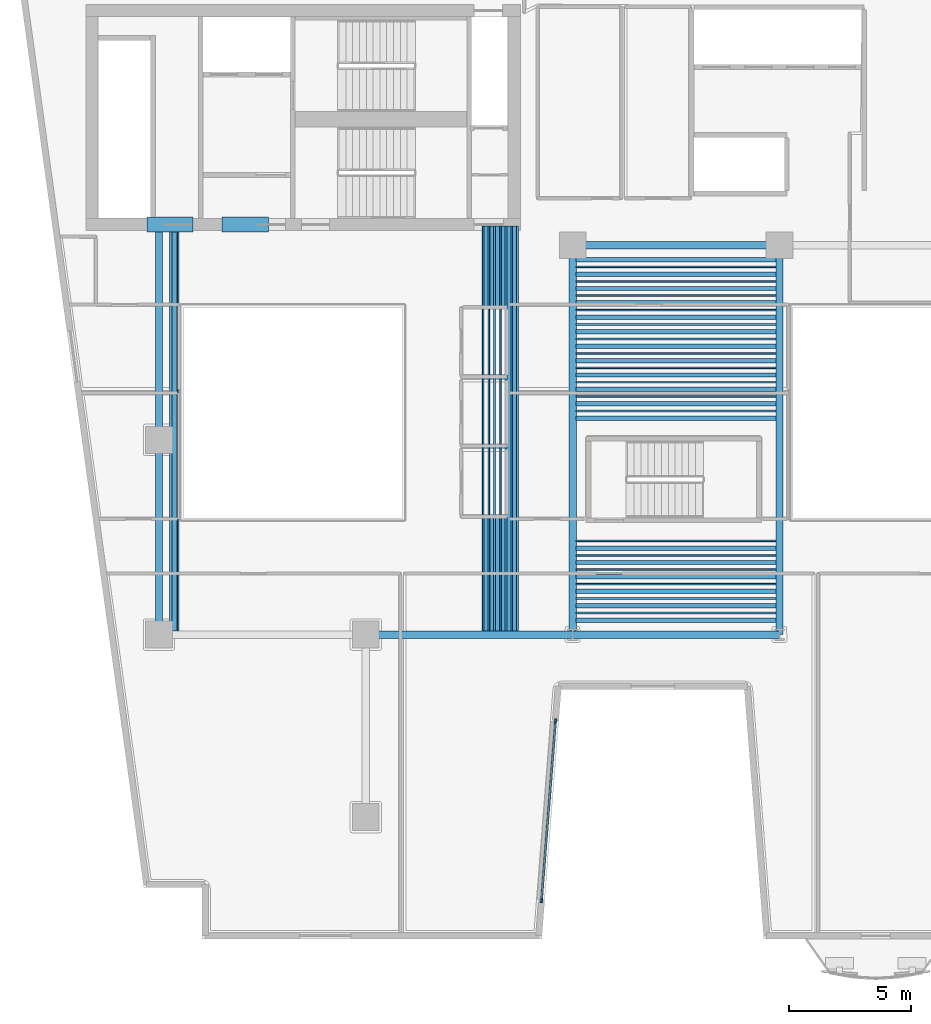
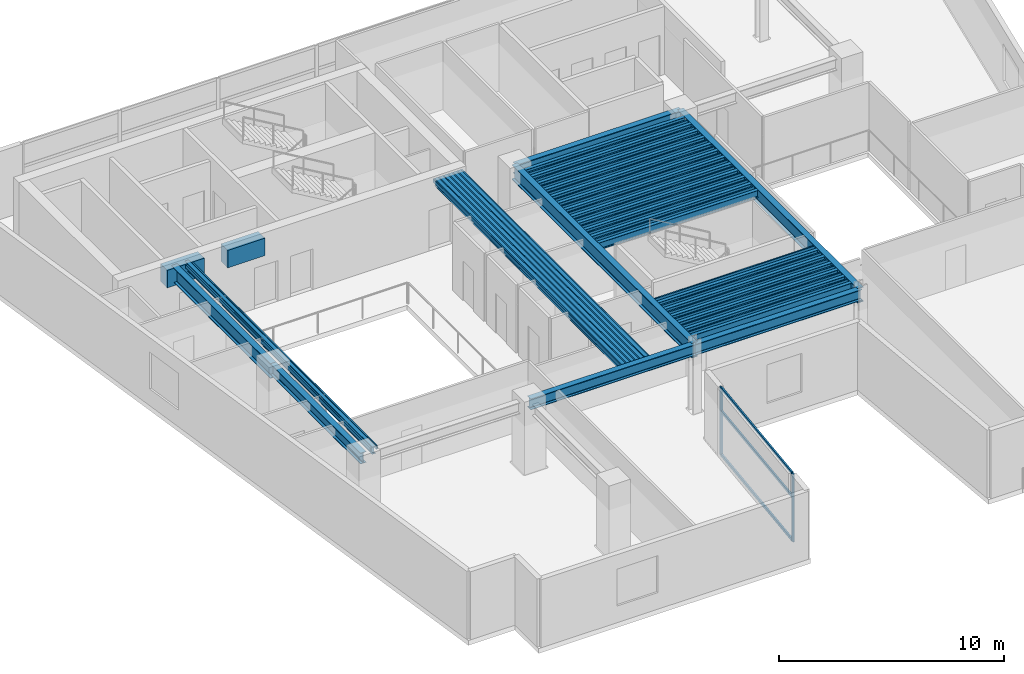
# One storey, part 2 of 13: 60 beams, 5 members, 1 element without a shape of its own.
"""IFC4 building model written with IfcOpenShell, lengths in metres."""

from ifc_helpers import new_model, si_unit, direction, frame, origin, origin_2d, place, context, subcontext, project, spatial, rectangle, hollow_rectangle, i_section, extrude, material, layer, layer_set, material_profile, profile_set, type_object, element, aggregate, save


model = new_model("IFC4")

# Units and contexts
model_context = context("Model", 3, precision=1e-05, world=origin(), true_north=direction((0.0, 1.0)))
body_context = subcontext(model_context, "Body", "Model", "MODEL_VIEW")
ifc_project = project(units=[si_unit("LENGTHUNIT", "METRE"), si_unit("AREAUNIT", "SQUARE_METRE"), si_unit("VOLUMEUNIT", "CUBIC_METRE"), si_unit("PLANEANGLEUNIT", "RADIAN"), si_unit("MASSUNIT", "GRAM", prefix="KILO")], contexts=[model_context])

# Site, building, storey
site_placement = place(None, origin())
site = spatial("IfcSite", under=ifc_project, at=site_placement, CompositionType="ELEMENT")
building_placement = place(site_placement, origin())
building = spatial("IfcBuilding", under=site, at=building_placement, Name="Caeloran Harvest Quay", CompositionType="ELEMENT")
storey_placement = place(building_placement, frame((0.0, 0.0, 139.050048828125)))
storey = spatial("IfcBuildingStorey", under=building, at=storey_placement, Name="L32", CompositionType="ELEMENT", Elevation=139.050048828125)

# Beams
ifc_material_1 = material(Name="Concrete C60/75", Category="concrete")
ifc_material_profile_1 = material_profile(ifc_material_1, rectangle(XDim=0.60009765625, YDim=0.949951171875, at=origin_2d()), Name="RC 600x950")
ifc_profile_set_1 = profile_set([ifc_material_profile_1], Name="Concrete C60/75")
beam_type_1 = type_object("IfcBeamType", Name="BM-CB-2-RC_600x950", PredefinedType="LINTEL", material=ifc_profile_set_1)
for number, where, z_axis, x_axis, name in (
    (1, (8.0, 31.85009765625, 3.21484375), (1.0, 0.0, 0.0), (0.0, 1.0, 0.0), "L32 Core Coupling Beam 1"),
    (2, (11.10009765625, 31.85009765625, 3.21484375), (1.0, 0.0, 0.0), (0.0, 1.0, 0.0), "L32 Core Coupling Beam 2"),
):
    element("IfcBeam", number, at=place(storey_placement, frame(where, z_axis=z_axis, x_axis=x_axis)), inside=storey, type_object=beam_type_1, Name=name, PredefinedType="LINTEL", context=body_context, shape_type="SweptSolid", body=[
        extrude(rectangle(XDim=0.60009765625, YDim=0.949951171875, at=origin_2d()), origin(), (0.0, 0.0, 1.0), 1.89990234375),
    ])
ifc_material_2 = material(Name="Steel S355J2", Category="steel")
ifc_material_profile_2 = material_profile(ifc_material_2, i_section(OverallWidth=0.300048828125, OverallDepth=0.800048828125, WebThickness=0.017578125, FlangeThickness=0.032958984375, FilletRadius=0.030029296875, at=origin_2d()), Name="HE 800 B")
ifc_profile_set_2 = profile_set([ifc_material_profile_2], Name="Steel S355J2")
beam_type_2 = type_object("IfcBeamType", Name="BM-PG-1-HE_800_B", PredefinedType="BEAM", material=ifc_profile_set_2)
beam_1_placement = place(storey_placement, frame((8.5, 23.0, 3.2900390625), z_axis=(0.0, 1.0, 0.0), x_axis=(-1.0, 0.0, 0.0)))
element("IfcBeam", 3, at=beam_1_placement, inside=storey, type_object=beam_type_2, Name="L32 Core South Tie Girder X=8.5", PredefinedType="BEAM", context=body_context, shape_type="SweptSolid", body=[
    extrude(i_section(OverallWidth=0.300048828125, OverallDepth=0.800048828125, WebThickness=0.017578125, FlangeThickness=0.032958984375, FilletRadius=0.030029296875, at=origin_2d()), origin(), (0.0, 0.0, 1.0), 8.800048828125),
])
for number, where, z_axis, x_axis, name in (
    (4, (25.5, 15.0, 3.2900390625), (0.0, 1.0, 0.0), (-1.0, 0.0, 0.0), "L32 Primary North-South Girder X=25.5"),
    (5, (34.0, 15.0, 3.2900390625), (0.0, 1.0, 0.0), (-1.0, 0.0, 0.0), "L32 Primary North-South Girder X=34.0"),
):
    element("IfcBeam", number, at=place(storey_placement, frame(where, z_axis=z_axis, x_axis=x_axis)), inside=storey, type_object=beam_type_2, Name=name, PredefinedType="BEAM", context=body_context, shape_type="SweptSolid", body=[
        extrude(i_section(OverallWidth=0.300048828125, OverallDepth=0.800048828125, WebThickness=0.017578125, FlangeThickness=0.032958984375, FilletRadius=0.030029296875, at=origin_2d()), origin(), (0.0, 0.0, 1.0), 16.0),
    ])
ifc_material_profile_3 = material_profile(ifc_material_2, i_section(OverallWidth=0.300048828125, OverallDepth=0.60009765625, WebThickness=0.015380859375, FlangeThickness=0.030029296875, FilletRadius=0.027099609375, at=origin_2d()), Name="HE 600 B")
ifc_profile_set_3 = profile_set([ifc_material_profile_3], Name="Steel S355J2")
beam_type_3 = type_object("IfcBeamType", Name="BM-PG-3-HE_600_B", PredefinedType="BEAM", material=ifc_profile_set_3)
for number, where, z_axis, x_axis, name in (
    (6, (17.0, 15.0, 3.389892578125), (1.0, 0.0, 0.0), (0.0, 1.0, 0.0), "L32 Primary East-West Girder Y=15.0"),
    (7, (25.5, 15.0, 3.389892578125), (1.0, 0.0, 0.0), (0.0, 1.0, 0.0), "L32 Primary East-West Girder Y=15.0"),
    (8, (25.5, 31.0, 3.389892578125), (1.0, 0.0, 0.0), (0.0, 1.0, 0.0), "L32 Primary East-West Girder Y=31.0"),
):
    element("IfcBeam", number, at=place(storey_placement, frame(where, z_axis=z_axis, x_axis=x_axis)), inside=storey, type_object=beam_type_3, Name=name, PredefinedType="BEAM", context=body_context, shape_type="SweptSolid", body=[
        extrude(i_section(OverallWidth=0.300048828125, OverallDepth=0.60009765625, WebThickness=0.015380859375, FlangeThickness=0.030029296875, FilletRadius=0.027099609375, at=origin_2d()), origin(), (0.0, 0.0, 1.0), 8.5),
    ])
beam_2_placement = place(storey_placement, frame((8.5, 15.0, 3.389892578125), z_axis=(0.0, 1.0, 0.0), x_axis=(-1.0, 0.0, 0.0)))
element("IfcBeam", 9, at=beam_2_placement, inside=storey, type_object=beam_type_3, Name="L32 Primary North-South Girder X=8.5", PredefinedType="BEAM", context=body_context, shape_type="SweptSolid", body=[
    extrude(i_section(OverallWidth=0.300048828125, OverallDepth=0.60009765625, WebThickness=0.015380859375, FlangeThickness=0.030029296875, FilletRadius=0.027099609375, at=origin_2d()), origin(), (0.0, 0.0, 1.0), 8.0),
])
ifc_material_profile_4 = material_profile(ifc_material_2, i_section(OverallWidth=0.179931640625, OverallDepth=0.39990234375, WebThickness=0.008544921875, FlangeThickness=0.013427734375, FilletRadius=0.02099609375, at=origin_2d()), Name="IPE 400")
ifc_profile_set_4 = profile_set([ifc_material_profile_4], Name="Steel S355J2")
beam_type_4 = type_object("IfcBeamType", Name="BM-SB-4-IPE_400", PredefinedType="JOIST", material=ifc_profile_set_4)
for number, where, z_axis, x_axis, name in (
    (10, (9.129638671875, 15.14501953125, 3.489990234375), (0.0, 1.0, 0.0), (-1.0, 0.0, 0.0), "L32 Secondary Composite Joist"),
    (11, (21.93896484375, 15.14501953125, 3.489990234375), (0.0, 1.0, 0.0), (-1.0, 0.0, 0.0), "L32 Secondary Composite Joist"),
    (12, (22.174072265625, 15.14501953125, 3.489990234375), (0.0, 1.0, 0.0), (-1.0, 0.0, 0.0), "L32 Secondary Composite Joist"),
    (13, (22.4091796875, 15.14501953125, 3.489990234375), (0.0, 1.0, 0.0), (-1.0, 0.0, 0.0), "L32 Secondary Composite Joist"),
    (14, (22.644287109375, 15.14501953125, 3.489990234375), (0.0, 1.0, 0.0), (-1.0, 0.0, 0.0), "L32 Secondary Composite Joist"),
    (15, (22.879638671875, 15.14501953125, 3.489990234375), (0.0, 1.0, 0.0), (-1.0, 0.0, 0.0), "L32 Secondary Composite Joist"),
    (16, (23.11474609375, 15.14501953125, 3.489990234375), (0.0, 1.0, 0.0), (-1.0, 0.0, 0.0), "L32 Secondary Composite Joist"),
):
    element("IfcBeam", number, at=place(storey_placement, frame(where, z_axis=z_axis, x_axis=x_axis)), inside=storey, type_object=beam_type_4, Name=name, PredefinedType="JOIST", context=body_context, shape_type="SweptSolid", body=[
        extrude(i_section(OverallWidth=0.179931640625, OverallDepth=0.39990234375, WebThickness=0.008544921875, FlangeThickness=0.013427734375, FilletRadius=0.02099609375, at=origin_2d()), origin(), (0.0, 0.0, 1.0), 16.655029296875),
    ])
for number, where, z_axis, x_axis, name in (
    (17, (25.64501953125, 15.592529296875, 3.489990234375), (1.0, 0.0, 0.0), (0.0, 1.0, 0.0), "L32 Secondary East-West Composite Joist"),
    (18, (25.64501953125, 16.185302734375, 3.489990234375), (1.0, 0.0, 0.0), (0.0, 1.0, 0.0), "L32 Secondary East-West Composite Joist"),
    (19, (25.64501953125, 16.77783203125, 3.489990234375), (1.0, 0.0, 0.0), (0.0, 1.0, 0.0), "L32 Secondary East-West Composite Joist"),
    (20, (25.64501953125, 17.370361328125, 3.489990234375), (1.0, 0.0, 0.0), (0.0, 1.0, 0.0), "L32 Secondary East-West Composite Joist"),
    (21, (25.64501953125, 17.962890625, 3.489990234375), (1.0, 0.0, 0.0), (0.0, 1.0, 0.0), "L32 Secondary East-West Composite Joist"),
    (22, (25.64501953125, 18.5556640625, 3.489990234375), (1.0, 0.0, 0.0), (0.0, 1.0, 0.0), "L32 Secondary East-West Composite Joist"),
    (23, (25.64501953125, 23.888916015625, 3.489990234375), (1.0, 0.0, 0.0), (0.0, 1.0, 0.0), "L32 Secondary East-West Composite Joist"),
    (24, (25.64501953125, 24.4814453125, 3.489990234375), (1.0, 0.0, 0.0), (0.0, 1.0, 0.0), "L32 Secondary East-West Composite Joist"),
    (25, (25.64501953125, 25.07421875, 3.489990234375), (1.0, 0.0, 0.0), (0.0, 1.0, 0.0), "L32 Secondary East-West Composite Joist"),
    (26, (25.64501953125, 25.666748046875, 3.489990234375), (1.0, 0.0, 0.0), (0.0, 1.0, 0.0), "L32 Secondary East-West Composite Joist"),
    (27, (25.64501953125, 26.25927734375, 3.489990234375), (1.0, 0.0, 0.0), (0.0, 1.0, 0.0), "L32 Secondary East-West Composite Joist"),
    (28, (25.64501953125, 26.851806640625, 3.489990234375), (1.0, 0.0, 0.0), (0.0, 1.0, 0.0), "L32 Secondary East-West Composite Joist"),
    (29, (25.64501953125, 27.4443359375, 3.489990234375), (1.0, 0.0, 0.0), (0.0, 1.0, 0.0), "L32 Secondary East-West Composite Joist"),
    (30, (25.64501953125, 28.037109375, 3.489990234375), (1.0, 0.0, 0.0), (0.0, 1.0, 0.0), "L32 Secondary East-West Composite Joist"),
    (31, (25.64501953125, 28.629638671875, 3.489990234375), (1.0, 0.0, 0.0), (0.0, 1.0, 0.0), "L32 Secondary East-West Composite Joist"),
    (32, (25.64501953125, 29.22216796875, 3.489990234375), (1.0, 0.0, 0.0), (0.0, 1.0, 0.0), "L32 Secondary East-West Composite Joist"),
    (33, (25.64501953125, 29.814697265625, 3.489990234375), (1.0, 0.0, 0.0), (0.0, 1.0, 0.0), "L32 Secondary East-West Composite Joist"),
    (34, (25.64501953125, 30.407470703125, 3.489990234375), (1.0, 0.0, 0.0), (0.0, 1.0, 0.0), "L32 Secondary East-West Composite Joist"),
):
    element("IfcBeam", number, at=place(storey_placement, frame(where, z_axis=z_axis, x_axis=x_axis)), inside=storey, type_object=beam_type_4, Name=name, PredefinedType="JOIST", context=body_context, shape_type="SweptSolid", body=[
        extrude(i_section(OverallWidth=0.179931640625, OverallDepth=0.39990234375, WebThickness=0.008544921875, FlangeThickness=0.013427734375, FilletRadius=0.02099609375, at=origin_2d()), origin(), (0.0, 0.0, 1.0), 8.2099609375),
    ])
ifc_material_profile_5 = material_profile(ifc_material_2, hollow_rectangle(XDim=0.080078125, YDim=0.199951171875, WallThickness=0.006103515625, InnerFilletRadius=0.006103515625, OuterFilletRadius=0.009033203125, at=origin_2d()), Name="RHS 200x80x6")
ifc_profile_set_5 = profile_set([ifc_material_profile_5], Name="Steel S355J2")
beam_type_5 = type_object("IfcBeamType", Name="BM-SB-7-RHS_200x80x6", PredefinedType="JOIST", material=ifc_profile_set_5)
for number, where, z_axis, x_axis, name in (
    (35, (8.97216796875, 15.14501953125, 3.58984375), (0.0, 1.0, 0.0), (-1.0, 0.0, 0.0), "L32 Secondary Composite Joist"),
    (36, (9.287109375, 15.14501953125, 3.58984375), (0.0, 1.0, 0.0), (-1.0, 0.0, 0.0), "L32 Secondary Composite Joist"),
    (37, (21.8212890625, 15.14501953125, 3.58984375), (0.0, 1.0, 0.0), (-1.0, 0.0, 0.0), "L32 Secondary Composite Joist"),
    (38, (22.056396484375, 15.14501953125, 3.58984375), (0.0, 1.0, 0.0), (-1.0, 0.0, 0.0), "L32 Secondary Composite Joist"),
    (39, (22.291748046875, 15.14501953125, 3.58984375), (0.0, 1.0, 0.0), (-1.0, 0.0, 0.0), "L32 Secondary Composite Joist"),
    (40, (22.52685546875, 15.14501953125, 3.58984375), (0.0, 1.0, 0.0), (-1.0, 0.0, 0.0), "L32 Secondary Composite Joist"),
    (41, (22.761962890625, 15.14501953125, 3.58984375), (0.0, 1.0, 0.0), (-1.0, 0.0, 0.0), "L32 Secondary Composite Joist"),
    (42, (22.997314453125, 15.14501953125, 3.58984375), (0.0, 1.0, 0.0), (-1.0, 0.0, 0.0), "L32 Secondary Composite Joist"),
    (43, (23.232421875, 15.14501953125, 3.58984375), (0.0, 1.0, 0.0), (-1.0, 0.0, 0.0), "L32 Secondary Composite Joist"),
):
    element("IfcBeam", number, at=place(storey_placement, frame(where, z_axis=z_axis, x_axis=x_axis)), inside=storey, type_object=beam_type_5, Name=name, PredefinedType="JOIST", context=body_context, shape_type="SweptSolid", body=[
        extrude(hollow_rectangle(XDim=0.080078125, YDim=0.199951171875, WallThickness=0.006103515625, InnerFilletRadius=0.006103515625, OuterFilletRadius=0.009033203125, at=origin_2d()), origin(), (0.0, 0.0, 1.0), 16.655029296875),
    ])
for number, where, z_axis, x_axis, name in (
    (44, (25.64501953125, 15.888916015625, 3.58984375), (1.0, 0.0, 0.0), (0.0, 1.0, 0.0), "L32 Secondary East-West Composite Joist"),
    (45, (25.64501953125, 16.4814453125, 3.58984375), (1.0, 0.0, 0.0), (0.0, 1.0, 0.0), "L32 Secondary East-West Composite Joist"),
    (46, (25.64501953125, 17.07421875, 3.58984375), (1.0, 0.0, 0.0), (0.0, 1.0, 0.0), "L32 Secondary East-West Composite Joist"),
    (47, (25.64501953125, 17.666748046875, 3.58984375), (1.0, 0.0, 0.0), (0.0, 1.0, 0.0), "L32 Secondary East-West Composite Joist"),
    (48, (25.64501953125, 18.25927734375, 3.58984375), (1.0, 0.0, 0.0), (0.0, 1.0, 0.0), "L32 Secondary East-West Composite Joist"),
    (49, (25.64501953125, 18.851806640625, 3.58984375), (1.0, 0.0, 0.0), (0.0, 1.0, 0.0), "L32 Secondary East-West Composite Joist"),
    (50, (25.64501953125, 24.185302734375, 3.58984375), (1.0, 0.0, 0.0), (0.0, 1.0, 0.0), "L32 Secondary East-West Composite Joist"),
    (51, (25.64501953125, 24.77783203125, 3.58984375), (1.0, 0.0, 0.0), (0.0, 1.0, 0.0), "L32 Secondary East-West Composite Joist"),
    (52, (25.64501953125, 25.370361328125, 3.58984375), (1.0, 0.0, 0.0), (0.0, 1.0, 0.0), "L32 Secondary East-West Composite Joist"),
    (53, (25.64501953125, 25.962890625, 3.58984375), (1.0, 0.0, 0.0), (0.0, 1.0, 0.0), "L32 Secondary East-West Composite Joist"),
    (54, (25.64501953125, 26.5556640625, 3.58984375), (1.0, 0.0, 0.0), (0.0, 1.0, 0.0), "L32 Secondary East-West Composite Joist"),
    (55, (25.64501953125, 27.148193359375, 3.58984375), (1.0, 0.0, 0.0), (0.0, 1.0, 0.0), "L32 Secondary East-West Composite Joist"),
    (56, (25.64501953125, 27.74072265625, 3.58984375), (1.0, 0.0, 0.0), (0.0, 1.0, 0.0), "L32 Secondary East-West Composite Joist"),
    (57, (25.64501953125, 28.333251953125, 3.58984375), (1.0, 0.0, 0.0), (0.0, 1.0, 0.0), "L32 Secondary East-West Composite Joist"),
    (58, (25.64501953125, 28.92578125, 3.58984375), (1.0, 0.0, 0.0), (0.0, 1.0, 0.0), "L32 Secondary East-West Composite Joist"),
    (59, (25.64501953125, 29.5185546875, 3.58984375), (1.0, 0.0, 0.0), (0.0, 1.0, 0.0), "L32 Secondary East-West Composite Joist"),
    (60, (25.64501953125, 30.111083984375, 3.58984375), (1.0, 0.0, 0.0), (0.0, 1.0, 0.0), "L32 Secondary East-West Composite Joist"),
):
    element("IfcBeam", number, at=place(storey_placement, frame(where, z_axis=z_axis, x_axis=x_axis)), inside=storey, type_object=beam_type_5, Name=name, PredefinedType="JOIST", context=body_context, shape_type="SweptSolid", body=[
        extrude(hollow_rectangle(XDim=0.080078125, YDim=0.199951171875, WallThickness=0.006103515625, InnerFilletRadius=0.006103515625, OuterFilletRadius=0.009033203125, at=origin_2d()), origin(), (0.0, 0.0, 1.0), 8.2099609375),
    ])

# Curtain wall, members
ifc_material_3 = material(Name="Aluminium 6063-T6 and Low-E Glazing", Category="aluminium")
ifc_layer = layer(ifc_material_3, 0.18994140625, Name="Aluminium 6063-T6 and Low-E Glazing")
ifc_layer_set = layer_set([ifc_layer], Name="Aluminium 6063-T6 and Low-E Glazing")
curtain_wall_type = type_object("IfcCurtainWallType", Name="CW-SYS-CW-3", PredefinedType="USERDEFINED", material=ifc_layer_set)
curtain_wall_placement = place(storey_placement, origin())
curtain_wall = element("IfcCurtainWall", 61, at=curtain_wall_placement, inside=storey, type_object=curtain_wall_type, Name="L32 Unitised Curtain Wall CW-3 Run 15", ObjectType="CURTAIN_WALL", PredefinedType="USERDEFINED")
ifc_material_4 = material(Name="Aluminium 6063-T6", Category="aluminium")
ifc_material_profile_6 = material_profile(ifc_material_4, rectangle(XDim=0.080078125, YDim=0.179931640625, at=origin_2d()), Name="CW-MULLION-180")
ifc_profile_set_6 = profile_set([ifc_material_profile_6], Name="Aluminium 6063-T6")
member_type_1 = type_object("IfcMemberType", Name="CW-MULLION-180", PredefinedType="MULLION", material=ifc_profile_set_6)
member_1_placement = place(storey_placement, frame((24.7978515625, 11.4443359375, 0.0), z_axis=(0.0, 0.0, 1.0), x_axis=(0.996967280277, -0.077821861046, 0.0)))
member_1 = element("IfcMember", 62, at=member_1_placement, type_object=member_type_1, Name="CW-3 mullion 1", PredefinedType="MULLION", context=body_context, shape_type="SweptSolid", body=[
    extrude(rectangle(XDim=0.080078125, YDim=0.179931640625, at=origin_2d()), origin(), (0.0, 0.0, 1.0), 3.68994140625),
])
member_2_placement = place(storey_placement, frame((24.221923828125, 4.065673828125, 0.0), z_axis=(0.0, 0.0, 1.0), x_axis=(0.996967280277, -0.077821861046, 0.0)))
member_2 = element("IfcMember", 63, at=member_2_placement, type_object=member_type_1, Name="CW-3 mullion 2", PredefinedType="MULLION", context=body_context, shape_type="SweptSolid", body=[
    extrude(rectangle(XDim=0.080078125, YDim=0.179931640625, at=origin_2d()), origin(), (0.0, 0.0, 1.0), 3.68994140625),
])
ifc_material_profile_7 = material_profile(ifc_material_4, rectangle(XDim=0.080078125, YDim=0.14990234375, at=origin_2d()), Name="CW-TRANSOM-150")
ifc_profile_set_7 = profile_set([ifc_material_profile_7], Name="Aluminium 6063-T6")
member_type_2 = type_object("IfcMemberType", Name="CW-TRANSOM-150", PredefinedType="USERDEFINED", material=ifc_profile_set_7)
member_3_placement = place(storey_placement, frame((24.794677734375, 11.404541015625, 0.0400390625), z_axis=(-0.077831218093, -0.996966549835, 0.0), x_axis=(0.996966549835, -0.077831218093, 0.0)))
member_3 = element("IfcMember", 64, at=member_3_placement, type_object=member_type_2, Name="CW-3 transom 1.1", ObjectType="TRANSOM", PredefinedType="USERDEFINED", context=body_context, shape_type="SweptSolid", body=[
    extrude(rectangle(XDim=0.080078125, YDim=0.14990234375, at=origin_2d()), origin(), (0.0, 0.0, 1.0), 7.3212890625),
])
member_4_placement = place(storey_placement, frame((24.794677734375, 11.404541015625, 2.39990234375), z_axis=(-0.077831218093, -0.996966549835, 0.0), x_axis=(0.996966549835, -0.077831218093, 0.0)))
member_4 = element("IfcMember", 65, at=member_4_placement, type_object=member_type_2, Name="CW-3 transom 1.2", ObjectType="TRANSOM", PredefinedType="USERDEFINED", context=body_context, shape_type="SweptSolid", body=[
    extrude(rectangle(XDim=0.080078125, YDim=0.14990234375, at=origin_2d()), origin(), (0.0, 0.0, 1.0), 7.3212890625),
])
member_5_placement = place(storey_placement, frame((24.794677734375, 11.404541015625, 3.64990234375), z_axis=(-0.077831218093, -0.996966549835, 0.0), x_axis=(0.996966549835, -0.077831218093, 0.0)))
member_5 = element("IfcMember", 66, at=member_5_placement, type_object=member_type_2, Name="CW-3 transom 1.3", ObjectType="TRANSOM", PredefinedType="USERDEFINED", context=body_context, shape_type="SweptSolid", body=[
    extrude(rectangle(XDim=0.080078125, YDim=0.14990234375, at=origin_2d()), origin(), (0.0, 0.0, 1.0), 7.3212890625),
])
aggregate(curtain_wall, [member_1, member_2, member_3, member_4, member_5])

save(model, "model.ifc")
